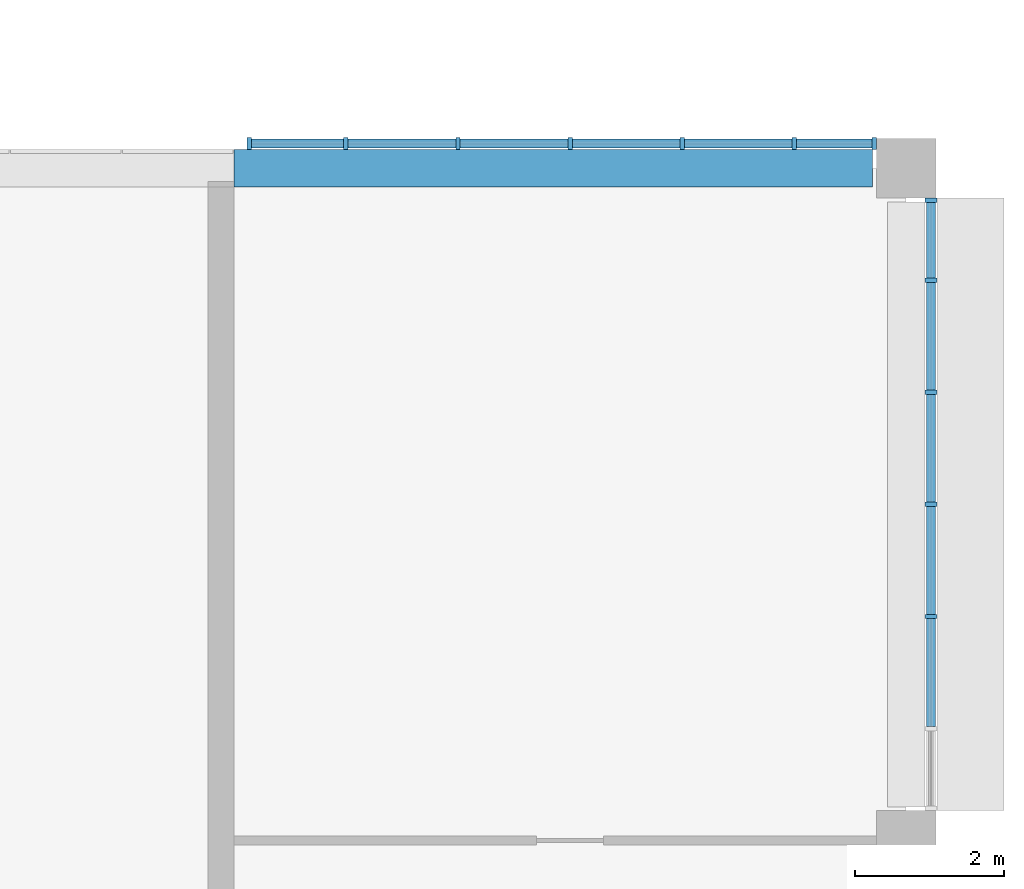
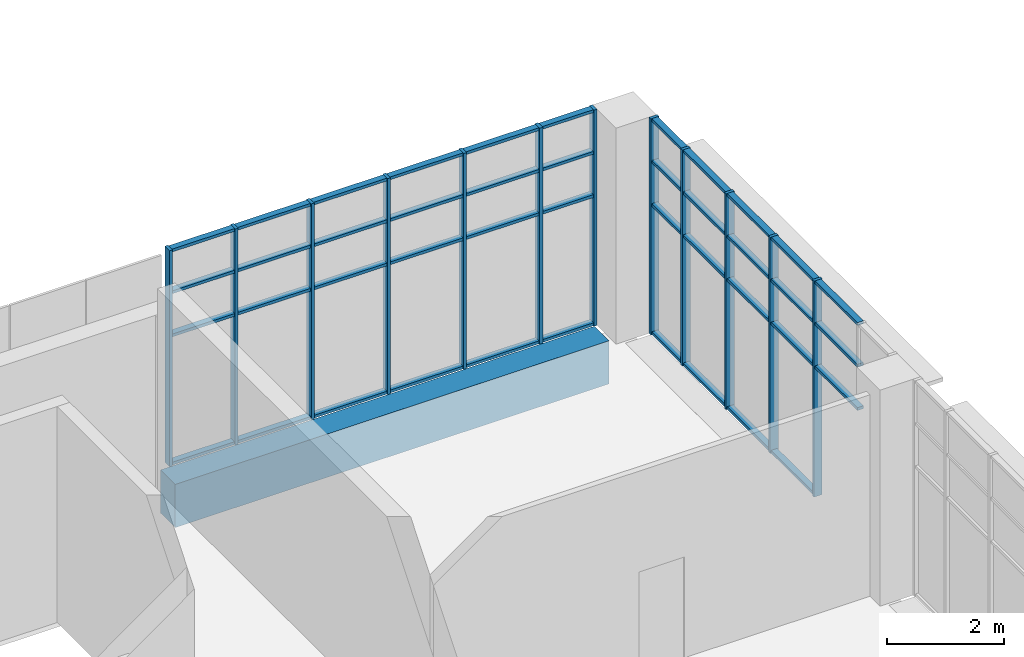
# One storey, part 14 of 40: 55 members, 1 beam, 2 elements without a shape of their own.
"""IFC4 building model written with IfcOpenShell, lengths in metres."""

from ifc_helpers import new_model, si_unit, direction, frame, origin, origin_2d, place, context, subcontext, project, spatial, rectangle, extrude, material, layer, layer_set, material_profile, profile_set, type_object, element, aggregate, save


model = new_model("IFC4")

# Units and contexts
model_context = context("Model", 3, precision=1e-05, world=origin(), true_north=direction((0.0, 1.0)))
body_context = subcontext(model_context, "Body", "Model", "MODEL_VIEW")
ifc_project = project(units=[si_unit("LENGTHUNIT", "METRE"), si_unit("AREAUNIT", "SQUARE_METRE"), si_unit("VOLUMEUNIT", "CUBIC_METRE"), si_unit("PLANEANGLEUNIT", "RADIAN"), si_unit("MASSUNIT", "GRAM", prefix="KILO")], contexts=[model_context])

# Site, building, storey
site_placement = place(None, origin())
site = spatial("IfcSite", under=ifc_project, at=site_placement, CompositionType="ELEMENT")
building_placement = place(site_placement, origin())
building = spatial("IfcBuilding", under=site, at=building_placement, Name="Guidao Yard Department Store", CompositionType="ELEMENT")
storey_placement = place(building_placement, frame((0.0, 0.0, 24.0)))
storey = spatial("IfcBuildingStorey", under=building, at=storey_placement, Name="L05", CompositionType="ELEMENT", Elevation=24.0)

# Curtain wall, members
ifc_material_1 = material(Name="Aluminium and glass", Category="aluminium")
ifc_layer = layer(ifc_material_1, 0.159912109375)
ifc_layer_set = layer_set([ifc_layer], Name="Unitised curtain wall CW4 1500 module")
curtain_wall_type = type_object("IfcCurtainWallType", Name="Unitised curtain wall CW4 1500 module", PredefinedType="NOTDEFINED", material=ifc_layer_set)
curtain_wall_1_placement = place(storey_placement, origin())
curtain_wall_1 = element("IfcCurtainWall", 1, at=curtain_wall_1_placement, inside=storey, type_object=curtain_wall_type, Name="Unitised curtain wall", PredefinedType="NOTDEFINED")
ifc_material_2 = material(Name="Aluminium 6063-T5", Category="aluminium")
ifc_material_profile_1 = material_profile(ifc_material_2, rectangle(XDim=0.06005859375, YDim=0.159912109375, at=origin_2d()), Name="Mullion M1 60 x 160 aluminium pressure plate")
ifc_profile_set_1 = profile_set([ifc_material_profile_1], Name="Aluminium 6063-T5")
member_type_1 = type_object("IfcMemberType", Name="Mullion M1 60 x 160 aluminium pressure plate", PredefinedType="MULLION", material=ifc_profile_set_1)
member_1_placement = place(storey_placement, frame((162.205078125, 27.330078125, 0.0), z_axis=(0.0, 0.0, 1.0), x_axis=(1.0, 0.0, 0.0)))
member_1 = element("IfcMember", 2, at=member_1_placement, type_object=member_type_1, Name="CW-OW-L05-08 mullion 1", PredefinedType="MULLION", context=body_context, shape_type="SweptSolid", body=[
    extrude(rectangle(XDim=0.06005859375, YDim=0.159912109375, at=origin_2d()), origin(), (0.0, 0.0, 1.0), 4.5),
])
member_2_placement = place(storey_placement, frame((163.5, 27.330078125, 0.0), z_axis=(0.0, 0.0, 1.0), x_axis=(1.0, 0.0, 0.0)))
member_2 = element("IfcMember", 3, at=member_2_placement, type_object=member_type_1, Name="CW-OW-L05-08 mullion 2", PredefinedType="MULLION", context=body_context, shape_type="SweptSolid", body=[
    extrude(rectangle(XDim=0.06005859375, YDim=0.159912109375, at=origin_2d()), origin(), (0.0, 0.0, 1.0), 4.5),
])
member_3_placement = place(storey_placement, frame((165.0, 27.330078125, 0.0), z_axis=(0.0, 0.0, 1.0), x_axis=(1.0, 0.0, 0.0)))
member_3 = element("IfcMember", 4, at=member_3_placement, type_object=member_type_1, Name="CW-OW-L05-08 mullion 3", PredefinedType="MULLION", context=body_context, shape_type="SweptSolid", body=[
    extrude(rectangle(XDim=0.06005859375, YDim=0.159912109375, at=origin_2d()), origin(), (0.0, 0.0, 1.0), 4.5),
])
member_4_placement = place(storey_placement, frame((166.5, 27.330078125, 0.0), z_axis=(0.0, 0.0, 1.0), x_axis=(1.0, 0.0, 0.0)))
member_4 = element("IfcMember", 5, at=member_4_placement, type_object=member_type_1, Name="CW-OW-L05-08 mullion 4", PredefinedType="MULLION", context=body_context, shape_type="SweptSolid", body=[
    extrude(rectangle(XDim=0.06005859375, YDim=0.159912109375, at=origin_2d()), origin(), (0.0, 0.0, 1.0), 4.5),
])
member_5_placement = place(storey_placement, frame((168.0, 27.330078125, 0.0), z_axis=(0.0, 0.0, 1.0), x_axis=(1.0, 0.0, 0.0)))
member_5 = element("IfcMember", 6, at=member_5_placement, type_object=member_type_1, Name="CW-OW-L05-08 mullion 5", PredefinedType="MULLION", context=body_context, shape_type="SweptSolid", body=[
    extrude(rectangle(XDim=0.06005859375, YDim=0.159912109375, at=origin_2d()), origin(), (0.0, 0.0, 1.0), 4.5),
])
member_6_placement = place(storey_placement, frame((169.5, 27.330078125, 0.0), z_axis=(0.0, 0.0, 1.0), x_axis=(1.0, 0.0, 0.0)))
member_6 = element("IfcMember", 7, at=member_6_placement, type_object=member_type_1, Name="CW-OW-L05-08 mullion 6", PredefinedType="MULLION", context=body_context, shape_type="SweptSolid", body=[
    extrude(rectangle(XDim=0.06005859375, YDim=0.159912109375, at=origin_2d()), origin(), (0.0, 0.0, 1.0), 4.5),
])
member_7_placement = place(storey_placement, frame((170.570068359375, 27.330078125, 0.0), z_axis=(0.0, 0.0, 1.0), x_axis=(1.0, 0.0, 0.0)))
member_7 = element("IfcMember", 8, at=member_7_placement, type_object=member_type_1, Name="CW-OW-L05-08 mullion 7", PredefinedType="MULLION", context=body_context, shape_type="SweptSolid", body=[
    extrude(rectangle(XDim=0.06005859375, YDim=0.159912109375, at=origin_2d()), origin(), (0.0, 0.0, 1.0), 4.5),
])

curtain_wall_2_placement = place(storey_placement, origin())
curtain_wall_2 = element("IfcCurtainWall", 9, at=curtain_wall_2_placement, inside=storey, type_object=curtain_wall_type, Name="Unitised curtain wall", PredefinedType="NOTDEFINED")
member_8_placement = place(storey_placement, frame((171.330078125, 21.0, 0.0), z_axis=(0.0, 0.0, 1.0), x_axis=(0.0, -1.0, 0.0)))
member_8 = element("IfcMember", 10, at=member_8_placement, type_object=member_type_1, Name="CW-OW-L05-11 mullion 3", PredefinedType="MULLION", context=body_context, shape_type="SweptSolid", body=[
    extrude(rectangle(XDim=0.06005859375, YDim=0.159912109375, at=origin_2d()), origin(), (0.0, 0.0, 1.0), 4.5),
])
member_9_placement = place(storey_placement, frame((171.330078125, 22.5, 0.0), z_axis=(0.0, 0.0, 1.0), x_axis=(0.0, -1.0, 0.0)))
member_9 = element("IfcMember", 11, at=member_9_placement, type_object=member_type_1, Name="CW-OW-L05-11 mullion 4", PredefinedType="MULLION", context=body_context, shape_type="SweptSolid", body=[
    extrude(rectangle(XDim=0.06005859375, YDim=0.159912109375, at=origin_2d()), origin(), (0.0, 0.0, 1.0), 4.5),
])
member_10_placement = place(storey_placement, frame((171.330078125, 24.0, 0.0), z_axis=(0.0, 0.0, 1.0), x_axis=(0.0, -1.0, 0.0)))
member_10 = element("IfcMember", 12, at=member_10_placement, type_object=member_type_1, Name="CW-OW-L05-11 mullion 5", PredefinedType="MULLION", context=body_context, shape_type="SweptSolid", body=[
    extrude(rectangle(XDim=0.06005859375, YDim=0.159912109375, at=origin_2d()), origin(), (0.0, 0.0, 1.0), 4.5),
])
member_11_placement = place(storey_placement, frame((171.330078125, 25.5, 0.0), z_axis=(0.0, 0.0, 1.0), x_axis=(0.0, -1.0, 0.0)))
member_11 = element("IfcMember", 13, at=member_11_placement, type_object=member_type_1, Name="CW-OW-L05-11 mullion 6", PredefinedType="MULLION", context=body_context, shape_type="SweptSolid", body=[
    extrude(rectangle(XDim=0.06005859375, YDim=0.159912109375, at=origin_2d()), origin(), (0.0, 0.0, 1.0), 4.5),
])
member_12_placement = place(storey_placement, frame((171.330078125, 26.570068359375, 0.0), z_axis=(0.0, 0.0, 1.0), x_axis=(0.0, -1.0, 0.0)))
member_12 = element("IfcMember", 14, at=member_12_placement, type_object=member_type_1, Name="CW-OW-L05-11 mullion 7", PredefinedType="MULLION", context=body_context, shape_type="SweptSolid", body=[
    extrude(rectangle(XDim=0.06005859375, YDim=0.159912109375, at=origin_2d()), origin(), (0.0, 0.0, 1.0), 4.5),
])

# Beam
ifc_material_3 = material(Name="Concrete C40", Category="concrete")
ifc_material_profile_2 = material_profile(ifc_material_3, rectangle(XDim=0.5, YDim=0.89990234375, at=origin_2d()), Name="Spandrel beam 500 x 900 C40")
ifc_profile_set_2 = profile_set([ifc_material_profile_2], Name="Concrete C40")
beam_type = type_object("IfcBeamType", Name="Spandrel beam 500 x 900 C40", PredefinedType="SPANDREL", material=ifc_profile_set_2)
beam_placement = place(storey_placement, frame((162.0, 27.0, -0.449951171875), z_axis=(1.0, 0.0, 0.0), x_axis=(0.0, 1.0, 0.0)))
element("IfcBeam", 15, at=beam_placement, inside=storey, type_object=beam_type, Name="Beam FB08", PredefinedType="SPANDREL", context=body_context, shape_type="SweptSolid", body=[
    extrude(rectangle(XDim=0.5, YDim=0.89990234375, at=origin_2d()), origin(), (0.0, 0.0, 1.0), 8.550048828125),
])

# Member
ifc_material_4 = material(Name="Aluminium 6063-T5", Category="aluminium")
ifc_material_profile_3 = material_profile(ifc_material_4, rectangle(XDim=0.1201171875, YDim=0.06005859375, at=origin_2d()), Name="Transom T1 60 x 120 aluminium pressure plate")
ifc_profile_set_3 = profile_set([ifc_material_profile_3], Name="Aluminium 6063-T5")
member_type_2 = type_object("IfcMemberType", Name="Transom T1 60 x 120 aluminium pressure plate", PredefinedType="USERDEFINED", material=ifc_profile_set_3)
member_13_placement = place(storey_placement, frame((162.235107421875, 27.330078125, 0.030029296875), z_axis=(1.0, 0.0, 0.0), x_axis=(0.0, 1.0, 0.0)))
member_13 = element("IfcMember", 16, at=member_13_placement, type_object=member_type_2, Name="CW-OW-L05-08 transom 1.1", ObjectType="TRANSOM", PredefinedType="USERDEFINED", context=body_context, shape_type="SweptSolid", body=[
    extrude(rectangle(XDim=0.1201171875, YDim=0.06005859375, at=origin_2d()), origin(), (0.0, 0.0, 1.0), 1.23486328125),
])

member_14_placement = place(storey_placement, frame((162.235107421875, 27.330078125, 2.699951171875), z_axis=(1.0, 0.0, 0.0), x_axis=(0.0, 1.0, 0.0)))
member_14 = element("IfcMember", 17, at=member_14_placement, type_object=member_type_2, Name="CW-OW-L05-08 transom 1.2", ObjectType="TRANSOM", PredefinedType="USERDEFINED", context=body_context, shape_type="SweptSolid", body=[
    extrude(rectangle(XDim=0.1201171875, YDim=0.06005859375, at=origin_2d()), origin(), (0.0, 0.0, 1.0), 1.23486328125),
])

member_15_placement = place(storey_placement, frame((162.235107421875, 27.330078125, 3.60009765625), z_axis=(1.0, 0.0, 0.0), x_axis=(0.0, 1.0, 0.0)))
member_15 = element("IfcMember", 18, at=member_15_placement, type_object=member_type_2, Name="CW-OW-L05-08 transom 1.3", ObjectType="TRANSOM", PredefinedType="USERDEFINED", context=body_context, shape_type="SweptSolid", body=[
    extrude(rectangle(XDim=0.1201171875, YDim=0.06005859375, at=origin_2d()), origin(), (0.0, 0.0, 1.0), 1.23486328125),
])

member_16_placement = place(storey_placement, frame((162.235107421875, 27.330078125, 4.469970703125), z_axis=(1.0, 0.0, 0.0), x_axis=(0.0, 1.0, 0.0)))
member_16 = element("IfcMember", 19, at=member_16_placement, type_object=member_type_2, Name="CW-OW-L05-08 transom 1.4", ObjectType="TRANSOM", PredefinedType="USERDEFINED", context=body_context, shape_type="SweptSolid", body=[
    extrude(rectangle(XDim=0.1201171875, YDim=0.06005859375, at=origin_2d()), origin(), (0.0, 0.0, 1.0), 1.23486328125),
])

member_17_placement = place(storey_placement, frame((163.530029296875, 27.330078125, 0.030029296875), z_axis=(1.0, 0.0, 0.0), x_axis=(0.0, 1.0, 0.0)))
member_17 = element("IfcMember", 20, at=member_17_placement, type_object=member_type_2, Name="CW-OW-L05-08 transom 2.1", ObjectType="TRANSOM", PredefinedType="USERDEFINED", context=body_context, shape_type="SweptSolid", body=[
    extrude(rectangle(XDim=0.1201171875, YDim=0.06005859375, at=origin_2d()), origin(), (0.0, 0.0, 1.0), 1.43994140625),
])

member_18_placement = place(storey_placement, frame((163.530029296875, 27.330078125, 2.699951171875), z_axis=(1.0, 0.0, 0.0), x_axis=(0.0, 1.0, 0.0)))
member_18 = element("IfcMember", 21, at=member_18_placement, type_object=member_type_2, Name="CW-OW-L05-08 transom 2.2", ObjectType="TRANSOM", PredefinedType="USERDEFINED", context=body_context, shape_type="SweptSolid", body=[
    extrude(rectangle(XDim=0.1201171875, YDim=0.06005859375, at=origin_2d()), origin(), (0.0, 0.0, 1.0), 1.43994140625),
])

member_19_placement = place(storey_placement, frame((163.530029296875, 27.330078125, 3.60009765625), z_axis=(1.0, 0.0, 0.0), x_axis=(0.0, 1.0, 0.0)))
member_19 = element("IfcMember", 22, at=member_19_placement, type_object=member_type_2, Name="CW-OW-L05-08 transom 2.3", ObjectType="TRANSOM", PredefinedType="USERDEFINED", context=body_context, shape_type="SweptSolid", body=[
    extrude(rectangle(XDim=0.1201171875, YDim=0.06005859375, at=origin_2d()), origin(), (0.0, 0.0, 1.0), 1.43994140625),
])

member_20_placement = place(storey_placement, frame((163.530029296875, 27.330078125, 4.469970703125), z_axis=(1.0, 0.0, 0.0), x_axis=(0.0, 1.0, 0.0)))
member_20 = element("IfcMember", 23, at=member_20_placement, type_object=member_type_2, Name="CW-OW-L05-08 transom 2.4", ObjectType="TRANSOM", PredefinedType="USERDEFINED", context=body_context, shape_type="SweptSolid", body=[
    extrude(rectangle(XDim=0.1201171875, YDim=0.06005859375, at=origin_2d()), origin(), (0.0, 0.0, 1.0), 1.43994140625),
])

member_21_placement = place(storey_placement, frame((165.030029296875, 27.330078125, 0.030029296875), z_axis=(1.0, 0.0, 0.0), x_axis=(0.0, 1.0, 0.0)))
member_21 = element("IfcMember", 24, at=member_21_placement, type_object=member_type_2, Name="CW-OW-L05-08 transom 3.1", ObjectType="TRANSOM", PredefinedType="USERDEFINED", context=body_context, shape_type="SweptSolid", body=[
    extrude(rectangle(XDim=0.1201171875, YDim=0.06005859375, at=origin_2d()), origin(), (0.0, 0.0, 1.0), 1.43994140625),
])

member_22_placement = place(storey_placement, frame((165.030029296875, 27.330078125, 2.699951171875), z_axis=(1.0, 0.0, 0.0), x_axis=(0.0, 1.0, 0.0)))
member_22 = element("IfcMember", 25, at=member_22_placement, type_object=member_type_2, Name="CW-OW-L05-08 transom 3.2", ObjectType="TRANSOM", PredefinedType="USERDEFINED", context=body_context, shape_type="SweptSolid", body=[
    extrude(rectangle(XDim=0.1201171875, YDim=0.06005859375, at=origin_2d()), origin(), (0.0, 0.0, 1.0), 1.43994140625),
])

member_23_placement = place(storey_placement, frame((165.030029296875, 27.330078125, 3.60009765625), z_axis=(1.0, 0.0, 0.0), x_axis=(0.0, 1.0, 0.0)))
member_23 = element("IfcMember", 26, at=member_23_placement, type_object=member_type_2, Name="CW-OW-L05-08 transom 3.3", ObjectType="TRANSOM", PredefinedType="USERDEFINED", context=body_context, shape_type="SweptSolid", body=[
    extrude(rectangle(XDim=0.1201171875, YDim=0.06005859375, at=origin_2d()), origin(), (0.0, 0.0, 1.0), 1.43994140625),
])

member_24_placement = place(storey_placement, frame((165.030029296875, 27.330078125, 4.469970703125), z_axis=(1.0, 0.0, 0.0), x_axis=(0.0, 1.0, 0.0)))
member_24 = element("IfcMember", 27, at=member_24_placement, type_object=member_type_2, Name="CW-OW-L05-08 transom 3.4", ObjectType="TRANSOM", PredefinedType="USERDEFINED", context=body_context, shape_type="SweptSolid", body=[
    extrude(rectangle(XDim=0.1201171875, YDim=0.06005859375, at=origin_2d()), origin(), (0.0, 0.0, 1.0), 1.43994140625),
])

member_25_placement = place(storey_placement, frame((166.530029296875, 27.330078125, 0.030029296875), z_axis=(1.0, 0.0, 0.0), x_axis=(0.0, 1.0, 0.0)))
member_25 = element("IfcMember", 28, at=member_25_placement, type_object=member_type_2, Name="CW-OW-L05-08 transom 4.1", ObjectType="TRANSOM", PredefinedType="USERDEFINED", context=body_context, shape_type="SweptSolid", body=[
    extrude(rectangle(XDim=0.1201171875, YDim=0.06005859375, at=origin_2d()), origin(), (0.0, 0.0, 1.0), 1.43994140625),
])

member_26_placement = place(storey_placement, frame((166.530029296875, 27.330078125, 2.699951171875), z_axis=(1.0, 0.0, 0.0), x_axis=(0.0, 1.0, 0.0)))
member_26 = element("IfcMember", 29, at=member_26_placement, type_object=member_type_2, Name="CW-OW-L05-08 transom 4.2", ObjectType="TRANSOM", PredefinedType="USERDEFINED", context=body_context, shape_type="SweptSolid", body=[
    extrude(rectangle(XDim=0.1201171875, YDim=0.06005859375, at=origin_2d()), origin(), (0.0, 0.0, 1.0), 1.43994140625),
])

member_27_placement = place(storey_placement, frame((166.530029296875, 27.330078125, 3.60009765625), z_axis=(1.0, 0.0, 0.0), x_axis=(0.0, 1.0, 0.0)))
member_27 = element("IfcMember", 30, at=member_27_placement, type_object=member_type_2, Name="CW-OW-L05-08 transom 4.3", ObjectType="TRANSOM", PredefinedType="USERDEFINED", context=body_context, shape_type="SweptSolid", body=[
    extrude(rectangle(XDim=0.1201171875, YDim=0.06005859375, at=origin_2d()), origin(), (0.0, 0.0, 1.0), 1.43994140625),
])

member_28_placement = place(storey_placement, frame((166.530029296875, 27.330078125, 4.469970703125), z_axis=(1.0, 0.0, 0.0), x_axis=(0.0, 1.0, 0.0)))
member_28 = element("IfcMember", 31, at=member_28_placement, type_object=member_type_2, Name="CW-OW-L05-08 transom 4.4", ObjectType="TRANSOM", PredefinedType="USERDEFINED", context=body_context, shape_type="SweptSolid", body=[
    extrude(rectangle(XDim=0.1201171875, YDim=0.06005859375, at=origin_2d()), origin(), (0.0, 0.0, 1.0), 1.43994140625),
])

member_29_placement = place(storey_placement, frame((168.030029296875, 27.330078125, 0.030029296875), z_axis=(1.0, 0.0, 0.0), x_axis=(0.0, 1.0, 0.0)))
member_29 = element("IfcMember", 32, at=member_29_placement, type_object=member_type_2, Name="CW-OW-L05-08 transom 5.1", ObjectType="TRANSOM", PredefinedType="USERDEFINED", context=body_context, shape_type="SweptSolid", body=[
    extrude(rectangle(XDim=0.1201171875, YDim=0.06005859375, at=origin_2d()), origin(), (0.0, 0.0, 1.0), 1.43994140625),
])

member_30_placement = place(storey_placement, frame((168.030029296875, 27.330078125, 2.699951171875), z_axis=(1.0, 0.0, 0.0), x_axis=(0.0, 1.0, 0.0)))
member_30 = element("IfcMember", 33, at=member_30_placement, type_object=member_type_2, Name="CW-OW-L05-08 transom 5.2", ObjectType="TRANSOM", PredefinedType="USERDEFINED", context=body_context, shape_type="SweptSolid", body=[
    extrude(rectangle(XDim=0.1201171875, YDim=0.06005859375, at=origin_2d()), origin(), (0.0, 0.0, 1.0), 1.43994140625),
])

member_31_placement = place(storey_placement, frame((168.030029296875, 27.330078125, 3.60009765625), z_axis=(1.0, 0.0, 0.0), x_axis=(0.0, 1.0, 0.0)))
member_31 = element("IfcMember", 34, at=member_31_placement, type_object=member_type_2, Name="CW-OW-L05-08 transom 5.3", ObjectType="TRANSOM", PredefinedType="USERDEFINED", context=body_context, shape_type="SweptSolid", body=[
    extrude(rectangle(XDim=0.1201171875, YDim=0.06005859375, at=origin_2d()), origin(), (0.0, 0.0, 1.0), 1.43994140625),
])

member_32_placement = place(storey_placement, frame((168.030029296875, 27.330078125, 4.469970703125), z_axis=(1.0, 0.0, 0.0), x_axis=(0.0, 1.0, 0.0)))
member_32 = element("IfcMember", 35, at=member_32_placement, type_object=member_type_2, Name="CW-OW-L05-08 transom 5.4", ObjectType="TRANSOM", PredefinedType="USERDEFINED", context=body_context, shape_type="SweptSolid", body=[
    extrude(rectangle(XDim=0.1201171875, YDim=0.06005859375, at=origin_2d()), origin(), (0.0, 0.0, 1.0), 1.43994140625),
])

member_33_placement = place(storey_placement, frame((169.530029296875, 27.330078125, 0.030029296875), z_axis=(1.0, 0.0, 0.0), x_axis=(0.0, 1.0, 0.0)))
member_33 = element("IfcMember", 36, at=member_33_placement, type_object=member_type_2, Name="CW-OW-L05-08 transom 6.1", ObjectType="TRANSOM", PredefinedType="USERDEFINED", context=body_context, shape_type="SweptSolid", body=[
    extrude(rectangle(XDim=0.1201171875, YDim=0.06005859375, at=origin_2d()), origin(), (0.0, 0.0, 1.0), 1.010009765625),
])

member_34_placement = place(storey_placement, frame((169.530029296875, 27.330078125, 2.699951171875), z_axis=(1.0, 0.0, 0.0), x_axis=(0.0, 1.0, 0.0)))
member_34 = element("IfcMember", 37, at=member_34_placement, type_object=member_type_2, Name="CW-OW-L05-08 transom 6.2", ObjectType="TRANSOM", PredefinedType="USERDEFINED", context=body_context, shape_type="SweptSolid", body=[
    extrude(rectangle(XDim=0.1201171875, YDim=0.06005859375, at=origin_2d()), origin(), (0.0, 0.0, 1.0), 1.010009765625),
])

member_35_placement = place(storey_placement, frame((169.530029296875, 27.330078125, 3.60009765625), z_axis=(1.0, 0.0, 0.0), x_axis=(0.0, 1.0, 0.0)))
member_35 = element("IfcMember", 38, at=member_35_placement, type_object=member_type_2, Name="CW-OW-L05-08 transom 6.3", ObjectType="TRANSOM", PredefinedType="USERDEFINED", context=body_context, shape_type="SweptSolid", body=[
    extrude(rectangle(XDim=0.1201171875, YDim=0.06005859375, at=origin_2d()), origin(), (0.0, 0.0, 1.0), 1.010009765625),
])

member_36_placement = place(storey_placement, frame((169.530029296875, 27.330078125, 4.469970703125), z_axis=(1.0, 0.0, 0.0), x_axis=(0.0, 1.0, 0.0)))
member_36 = element("IfcMember", 39, at=member_36_placement, type_object=member_type_2, Name="CW-OW-L05-08 transom 6.4", ObjectType="TRANSOM", PredefinedType="USERDEFINED", context=body_context, shape_type="SweptSolid", body=[
    extrude(rectangle(XDim=0.1201171875, YDim=0.06005859375, at=origin_2d()), origin(), (0.0, 0.0, 1.0), 1.010009765625),
])

aggregate(curtain_wall_1, [member_1, member_2, member_3, member_4, member_5, member_6, member_7, member_13, member_14, member_15, member_16, member_17, member_18, member_19, member_20, member_21, member_22, member_23, member_24, member_25, member_26, member_27, member_28, member_29, member_30, member_31, member_32, member_33, member_34, member_35, member_36])

member_37_placement = place(storey_placement, frame((171.330078125, 20.969970703125, 2.699951171875), z_axis=(0.0, -1.0, 0.0), x_axis=(1.0, 0.0, 0.0)))
member_37 = element("IfcMember", 40, at=member_37_placement, type_object=member_type_2, Name="CW-OW-L05-11 transom 2.2", ObjectType="TRANSOM", PredefinedType="USERDEFINED", context=body_context, shape_type="SweptSolid", body=[
    extrude(rectangle(XDim=0.1201171875, YDim=0.06005859375, at=origin_2d()), origin(), (0.0, 0.0, 1.0), 1.43994140625),
])

member_38_placement = place(storey_placement, frame((171.330078125, 20.969970703125, 3.60009765625), z_axis=(0.0, -1.0, 0.0), x_axis=(1.0, 0.0, 0.0)))
member_38 = element("IfcMember", 41, at=member_38_placement, type_object=member_type_2, Name="CW-OW-L05-11 transom 2.3", ObjectType="TRANSOM", PredefinedType="USERDEFINED", context=body_context, shape_type="SweptSolid", body=[
    extrude(rectangle(XDim=0.1201171875, YDim=0.06005859375, at=origin_2d()), origin(), (0.0, 0.0, 1.0), 1.43994140625),
])

member_39_placement = place(storey_placement, frame((171.330078125, 20.969970703125, 4.469970703125), z_axis=(0.0, -1.0, 0.0), x_axis=(1.0, 0.0, 0.0)))
member_39 = element("IfcMember", 42, at=member_39_placement, type_object=member_type_2, Name="CW-OW-L05-11 transom 2.4", ObjectType="TRANSOM", PredefinedType="USERDEFINED", context=body_context, shape_type="SweptSolid", body=[
    extrude(rectangle(XDim=0.1201171875, YDim=0.06005859375, at=origin_2d()), origin(), (0.0, 0.0, 1.0), 1.43994140625),
])

member_40_placement = place(storey_placement, frame((171.330078125, 22.469970703125, 0.030029296875), z_axis=(0.0, -1.0, 0.0), x_axis=(1.0, 0.0, 0.0)))
member_40 = element("IfcMember", 43, at=member_40_placement, type_object=member_type_2, Name="CW-OW-L05-11 transom 3.1", ObjectType="TRANSOM", PredefinedType="USERDEFINED", context=body_context, shape_type="SweptSolid", body=[
    extrude(rectangle(XDim=0.1201171875, YDim=0.06005859375, at=origin_2d()), origin(), (0.0, 0.0, 1.0), 1.43994140625),
])

member_41_placement = place(storey_placement, frame((171.330078125, 22.469970703125, 2.699951171875), z_axis=(0.0, -1.0, 0.0), x_axis=(1.0, 0.0, 0.0)))
member_41 = element("IfcMember", 44, at=member_41_placement, type_object=member_type_2, Name="CW-OW-L05-11 transom 3.2", ObjectType="TRANSOM", PredefinedType="USERDEFINED", context=body_context, shape_type="SweptSolid", body=[
    extrude(rectangle(XDim=0.1201171875, YDim=0.06005859375, at=origin_2d()), origin(), (0.0, 0.0, 1.0), 1.43994140625),
])

member_42_placement = place(storey_placement, frame((171.330078125, 22.469970703125, 3.60009765625), z_axis=(0.0, -1.0, 0.0), x_axis=(1.0, 0.0, 0.0)))
member_42 = element("IfcMember", 45, at=member_42_placement, type_object=member_type_2, Name="CW-OW-L05-11 transom 3.3", ObjectType="TRANSOM", PredefinedType="USERDEFINED", context=body_context, shape_type="SweptSolid", body=[
    extrude(rectangle(XDim=0.1201171875, YDim=0.06005859375, at=origin_2d()), origin(), (0.0, 0.0, 1.0), 1.43994140625),
])

member_43_placement = place(storey_placement, frame((171.330078125, 22.469970703125, 4.469970703125), z_axis=(0.0, -1.0, 0.0), x_axis=(1.0, 0.0, 0.0)))
member_43 = element("IfcMember", 46, at=member_43_placement, type_object=member_type_2, Name="CW-OW-L05-11 transom 3.4", ObjectType="TRANSOM", PredefinedType="USERDEFINED", context=body_context, shape_type="SweptSolid", body=[
    extrude(rectangle(XDim=0.1201171875, YDim=0.06005859375, at=origin_2d()), origin(), (0.0, 0.0, 1.0), 1.43994140625),
])

member_44_placement = place(storey_placement, frame((171.330078125, 23.969970703125, 0.030029296875), z_axis=(0.0, -1.0, 0.0), x_axis=(1.0, 0.0, 0.0)))
member_44 = element("IfcMember", 47, at=member_44_placement, type_object=member_type_2, Name="CW-OW-L05-11 transom 4.1", ObjectType="TRANSOM", PredefinedType="USERDEFINED", context=body_context, shape_type="SweptSolid", body=[
    extrude(rectangle(XDim=0.1201171875, YDim=0.06005859375, at=origin_2d()), origin(), (0.0, 0.0, 1.0), 1.43994140625),
])

member_45_placement = place(storey_placement, frame((171.330078125, 23.969970703125, 2.699951171875), z_axis=(0.0, -1.0, 0.0), x_axis=(1.0, 0.0, 0.0)))
member_45 = element("IfcMember", 48, at=member_45_placement, type_object=member_type_2, Name="CW-OW-L05-11 transom 4.2", ObjectType="TRANSOM", PredefinedType="USERDEFINED", context=body_context, shape_type="SweptSolid", body=[
    extrude(rectangle(XDim=0.1201171875, YDim=0.06005859375, at=origin_2d()), origin(), (0.0, 0.0, 1.0), 1.43994140625),
])

member_46_placement = place(storey_placement, frame((171.330078125, 23.969970703125, 3.60009765625), z_axis=(0.0, -1.0, 0.0), x_axis=(1.0, 0.0, 0.0)))
member_46 = element("IfcMember", 49, at=member_46_placement, type_object=member_type_2, Name="CW-OW-L05-11 transom 4.3", ObjectType="TRANSOM", PredefinedType="USERDEFINED", context=body_context, shape_type="SweptSolid", body=[
    extrude(rectangle(XDim=0.1201171875, YDim=0.06005859375, at=origin_2d()), origin(), (0.0, 0.0, 1.0), 1.43994140625),
])

member_47_placement = place(storey_placement, frame((171.330078125, 23.969970703125, 4.469970703125), z_axis=(0.0, -1.0, 0.0), x_axis=(1.0, 0.0, 0.0)))
member_47 = element("IfcMember", 50, at=member_47_placement, type_object=member_type_2, Name="CW-OW-L05-11 transom 4.4", ObjectType="TRANSOM", PredefinedType="USERDEFINED", context=body_context, shape_type="SweptSolid", body=[
    extrude(rectangle(XDim=0.1201171875, YDim=0.06005859375, at=origin_2d()), origin(), (0.0, 0.0, 1.0), 1.43994140625),
])

member_48_placement = place(storey_placement, frame((171.330078125, 25.469970703125, 0.030029296875), z_axis=(0.0, -1.0, 0.0), x_axis=(1.0, 0.0, 0.0)))
member_48 = element("IfcMember", 51, at=member_48_placement, type_object=member_type_2, Name="CW-OW-L05-11 transom 5.1", ObjectType="TRANSOM", PredefinedType="USERDEFINED", context=body_context, shape_type="SweptSolid", body=[
    extrude(rectangle(XDim=0.1201171875, YDim=0.06005859375, at=origin_2d()), origin(), (0.0, 0.0, 1.0), 1.43994140625),
])

member_49_placement = place(storey_placement, frame((171.330078125, 25.469970703125, 2.699951171875), z_axis=(0.0, -1.0, 0.0), x_axis=(1.0, 0.0, 0.0)))
member_49 = element("IfcMember", 52, at=member_49_placement, type_object=member_type_2, Name="CW-OW-L05-11 transom 5.2", ObjectType="TRANSOM", PredefinedType="USERDEFINED", context=body_context, shape_type="SweptSolid", body=[
    extrude(rectangle(XDim=0.1201171875, YDim=0.06005859375, at=origin_2d()), origin(), (0.0, 0.0, 1.0), 1.43994140625),
])

member_50_placement = place(storey_placement, frame((171.330078125, 25.469970703125, 3.60009765625), z_axis=(0.0, -1.0, 0.0), x_axis=(1.0, 0.0, 0.0)))
member_50 = element("IfcMember", 53, at=member_50_placement, type_object=member_type_2, Name="CW-OW-L05-11 transom 5.3", ObjectType="TRANSOM", PredefinedType="USERDEFINED", context=body_context, shape_type="SweptSolid", body=[
    extrude(rectangle(XDim=0.1201171875, YDim=0.06005859375, at=origin_2d()), origin(), (0.0, 0.0, 1.0), 1.43994140625),
])

member_51_placement = place(storey_placement, frame((171.330078125, 25.469970703125, 4.469970703125), z_axis=(0.0, -1.0, 0.0), x_axis=(1.0, 0.0, 0.0)))
member_51 = element("IfcMember", 54, at=member_51_placement, type_object=member_type_2, Name="CW-OW-L05-11 transom 5.4", ObjectType="TRANSOM", PredefinedType="USERDEFINED", context=body_context, shape_type="SweptSolid", body=[
    extrude(rectangle(XDim=0.1201171875, YDim=0.06005859375, at=origin_2d()), origin(), (0.0, 0.0, 1.0), 1.43994140625),
])

member_52_placement = place(storey_placement, frame((171.330078125, 26.5400390625, 0.030029296875), z_axis=(0.0, -1.0, 0.0), x_axis=(1.0, 0.0, 0.0)))
member_52 = element("IfcMember", 55, at=member_52_placement, type_object=member_type_2, Name="CW-OW-L05-11 transom 6.1", ObjectType="TRANSOM", PredefinedType="USERDEFINED", context=body_context, shape_type="SweptSolid", body=[
    extrude(rectangle(XDim=0.1201171875, YDim=0.06005859375, at=origin_2d()), origin(), (0.0, 0.0, 1.0), 1.010009765625),
])

member_53_placement = place(storey_placement, frame((171.330078125, 26.5400390625, 2.699951171875), z_axis=(0.0, -1.0, 0.0), x_axis=(1.0, 0.0, 0.0)))
member_53 = element("IfcMember", 56, at=member_53_placement, type_object=member_type_2, Name="CW-OW-L05-11 transom 6.2", ObjectType="TRANSOM", PredefinedType="USERDEFINED", context=body_context, shape_type="SweptSolid", body=[
    extrude(rectangle(XDim=0.1201171875, YDim=0.06005859375, at=origin_2d()), origin(), (0.0, 0.0, 1.0), 1.010009765625),
])

member_54_placement = place(storey_placement, frame((171.330078125, 26.5400390625, 3.60009765625), z_axis=(0.0, -1.0, 0.0), x_axis=(1.0, 0.0, 0.0)))
member_54 = element("IfcMember", 57, at=member_54_placement, type_object=member_type_2, Name="CW-OW-L05-11 transom 6.3", ObjectType="TRANSOM", PredefinedType="USERDEFINED", context=body_context, shape_type="SweptSolid", body=[
    extrude(rectangle(XDim=0.1201171875, YDim=0.06005859375, at=origin_2d()), origin(), (0.0, 0.0, 1.0), 1.010009765625),
])

member_55_placement = place(storey_placement, frame((171.330078125, 26.5400390625, 4.469970703125), z_axis=(0.0, -1.0, 0.0), x_axis=(1.0, 0.0, 0.0)))
member_55 = element("IfcMember", 58, at=member_55_placement, type_object=member_type_2, Name="CW-OW-L05-11 transom 6.4", ObjectType="TRANSOM", PredefinedType="USERDEFINED", context=body_context, shape_type="SweptSolid", body=[
    extrude(rectangle(XDim=0.1201171875, YDim=0.06005859375, at=origin_2d()), origin(), (0.0, 0.0, 1.0), 1.010009765625),
])

aggregate(curtain_wall_2, [member_8, member_9, member_10, member_11, member_12, member_37, member_38, member_39, member_40, member_41, member_42, member_43, member_44, member_45, member_46, member_47, member_48, member_49, member_50, member_51, member_52, member_53, member_54, member_55])

save(model, "model.ifc")
